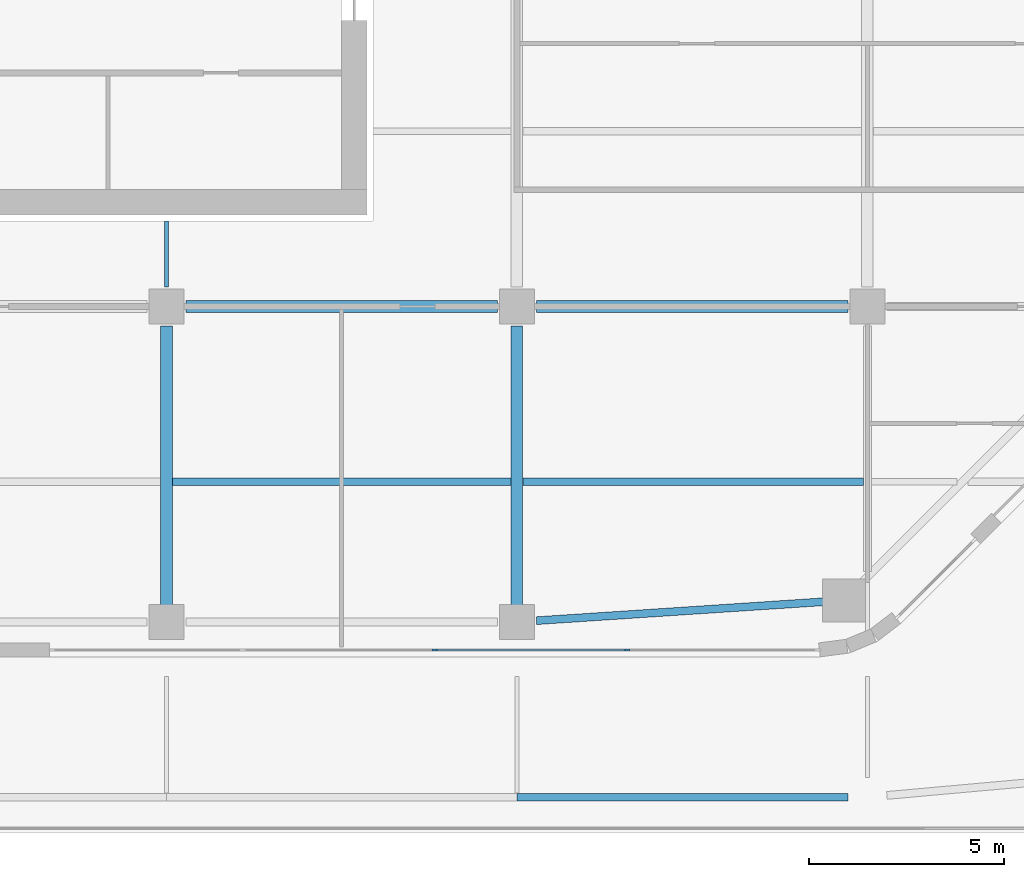
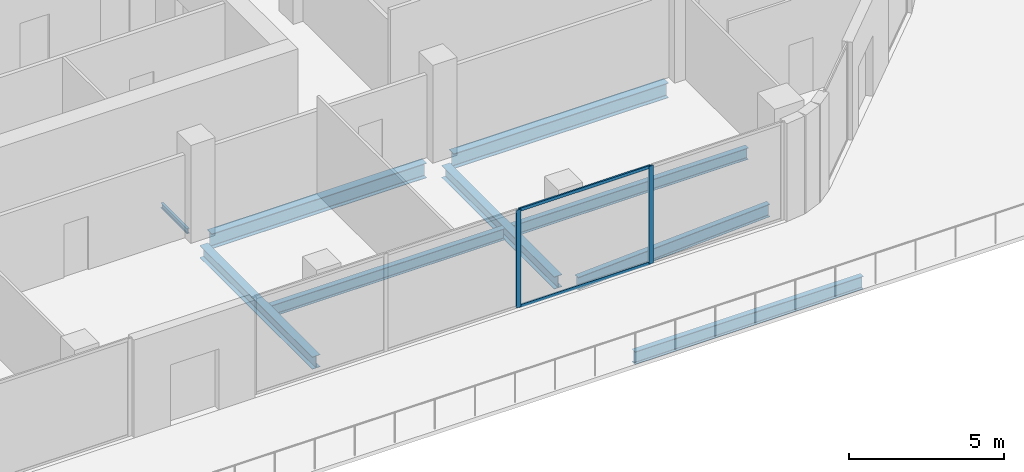
# One storey, part 3 of 29: 9 beams, 4 members, 1 element without a shape of its own.
"""IFC4 building model written with IfcOpenShell, lengths in metres."""

import ifcopenshell
import ifcopenshell.guid

model = None  # the IFC model being written
_history = None  # IfcOwnerHistory: only IFC2X3 demands one
_inside = {}  # id of a spatial element -> (the spatial element, [elements in it])
_under = {}  # id of a project, library or spatial element -> (it, [spatial elements below it])
_declared = {}  # id of a project -> (the project, [libraries it declares])
_typed = {}  # id of a type object -> (the type object, [elements of that type])
_made_of = {}  # id of a material, layer set ... -> (it, [elements and type objects made of it])


def new_model(schema):
    """Start an empty IFC model of exactly this schema.

    Asked for "IFC4X3", IfcOpenShell would pick the latest addendum, in which some entities
    have other attributes; the version numbers below select the first issue.
    IFC2X3 requires an IfcOwnerHistory on every rooted entity: one is made here for all.
    """
    global model, _history
    if schema == "IFC4X3":
        model = ifcopenshell.file(schema_version=(4, 3, 0, 0))
    else:
        model = ifcopenshell.file(schema=schema)
    _inside.clear()
    _under.clear()
    _declared.clear()
    _typed.clear()
    _made_of.clear()
    _history = None
    if model.schema == "IFC2X3":
        org = make("IfcOrganization", Name="unknown")
        user = make(
            "IfcPersonAndOrganization",
            ThePerson=make("IfcPerson", FamilyName="unknown"),
            TheOrganization=org,
        )
        app = make(
            "IfcApplication",
            ApplicationDeveloper=org,
            Version="unknown",
            ApplicationFullName="unknown",
            ApplicationIdentifier="unknown",
        )
        _history = make(
            "IfcOwnerHistory",
            OwningUser=user,
            OwningApplication=app,
            ChangeAction="ADDED",
            CreationDate=0,
        )
    return model


def make(cls, **values):
    """One entity of the class cls with the attributes given. An attribute that is None is left unset."""
    return model.create_entity(
        cls, **{name: value for name, value in values.items() if value is not None}
    )


def rooted(cls, **values):
    """An entity with a GlobalId (a new one), such as an element, a storey or a relation."""
    return make(cls, GlobalId=ifcopenshell.guid.new(), OwnerHistory=_history, **values)


def si_unit(unit_type, name, prefix=None):
    """IfcSIUnit, for example si_unit("LENGTHUNIT", "METRE", prefix="MILLI")."""
    return make("IfcSIUnit", UnitType=unit_type, Prefix=prefix, Name=name)


def assignment(units):
    """IfcUnitAssignment: the units of a project."""
    return None if units is None else make("IfcUnitAssignment", Units=units)


def point(xyz):
    """IfcCartesianPoint."""
    return None if xyz is None else make("IfcCartesianPoint", Coordinates=xyz)


def direction(xyz):
    """IfcDirection."""
    return None if xyz is None else make("IfcDirection", DirectionRatios=xyz)


def frame(location, z_axis=None, x_axis=None):
    """IfcAxis2Placement3D, a coordinate frame: its origin and axes. An axis left out is left unset."""
    return make(
        "IfcAxis2Placement3D",
        Location=point(location),
        Axis=direction(z_axis),
        RefDirection=direction(x_axis),
    )


def frame_2d(location, x_axis=None):
    """IfcAxis2Placement2D, a coordinate frame in the plane: its origin and x axis."""
    return make(
        "IfcAxis2Placement2D", Location=point(location), RefDirection=direction(x_axis)
    )


def origin():
    """The frame at (0, 0, 0) with its axes left unset."""
    return frame((0.0, 0.0, 0.0))


def origin_2d():
    """The frame at (0, 0) in the plane with its x axis left unset."""
    return frame_2d((0.0, 0.0))


def place(relative_to, where):
    """IfcLocalPlacement: puts the frame where relative to a parent placement (None: the world)."""
    return make(
        "IfcLocalPlacement", PlacementRelTo=relative_to, RelativePlacement=where
    )


def context(
    kind, dimensions, precision=None, world=None, true_north=None, identifier=None
):
    """IfcGeometricRepresentationContext, for example the 3D "Model" context."""
    return make(
        "IfcGeometricRepresentationContext",
        ContextIdentifier=identifier,
        ContextType=kind,
        CoordinateSpaceDimension=dimensions,
        Precision=precision,
        WorldCoordinateSystem=world,
        TrueNorth=true_north,
    )


def subcontext(parent, identifier, kind, view, scale=None):
    """IfcGeometricRepresentationSubContext, for example "Body" below "Model"."""
    return make(
        "IfcGeometricRepresentationSubContext",
        ContextIdentifier=identifier,
        ContextType=kind,
        ParentContext=parent,
        TargetScale=scale,
        TargetView=view,
    )


def project(units=None, contexts=None):
    """IfcProject with its units and contexts."""
    return rooted(
        "IfcProject",
        Name="project",
        RepresentationContexts=contexts,
        UnitsInContext=assignment(units),
    )


def spatial(cls, under=None, at=None, **own):
    """A site, building, storey or space (cls), placed at a placement, below another one or the project."""
    s = rooted(cls, ObjectPlacement=at, **own)
    if under is not None:
        _under.setdefault(under.id(), (under, []))[1].append(s)
    return s


def profile(cls, at=None, kind="AREA", **sizes):
    """A parametric profile (cls). Its sizes go by their IFC names, for example OverallWidth=200.0."""
    return make(cls, ProfileType=kind, Position=at, **sizes)


def rectangle(**sizes):
    """IfcRectangleProfileDef."""
    return profile("IfcRectangleProfileDef", **sizes)


def i_section(**sizes):
    """IfcIShapeProfileDef."""
    return profile("IfcIShapeProfileDef", **sizes)


def extrude(swept, where, along, depth):
    """IfcExtrudedAreaSolid: the profile swept, set in the frame where, extruded along a direction by depth."""
    return make(
        "IfcExtrudedAreaSolid",
        SweptArea=swept,
        Position=where,
        ExtrudedDirection=direction(along),
        Depth=depth,
    )


def shape(context_of_items, identifier, shape_type, items):
    """IfcShapeRepresentation: the items that make up one representation, for example the "Body"."""
    return make(
        "IfcShapeRepresentation",
        ContextOfItems=context_of_items,
        RepresentationIdentifier=identifier,
        RepresentationType=shape_type,
        Items=items,
    )


def material(Name=None, Category=None):
    """IfcMaterial."""
    return make("IfcMaterial", Name=Name, Category=Category)


def material_profile(
    of_material, cross_section, Name=None, Category=None, Priority=None
):
    """IfcMaterialProfile: a cross section and its material."""
    return make(
        "IfcMaterialProfile",
        Name=Name,
        Material=of_material,
        Profile=cross_section,
        Priority=Priority,
        Category=Category,
    )


def profile_set(profiles, Name=None, composite=None):
    """IfcMaterialProfileSet."""
    return make(
        "IfcMaterialProfileSet",
        Name=Name,
        MaterialProfiles=profiles,
        CompositeProfile=composite,
    )


def made_of(thing, what):
    """Note that an element or type object is made of a material, layer set ...; save() writes the relation."""
    if what is not None:
        _made_of.setdefault(what.id(), (what, []))[1].append(thing)
    return thing


def type_object(cls, material=None, **own):
    """A type object (cls), such as IfcWallType, which elements share."""
    return made_of(rooted(cls, **own), material)


def element(
    cls,
    number,
    at=None,
    inside=None,
    cuts=None,
    type_object=None,
    material=None,
    context=None,
    identifier="Body",
    shape_type=None,
    held_by="IfcProductDefinitionShape",
    body=None,
    shapes=None,
    **own,
):
    """One element of the class cls, such as IfcWall. Its Tag is "e" and its number.

    at: its placement. inside: the storey or other place that contains it. cuts: it is an
    opening in that element (IfcRelVoidsElement). A single representation is given by context,
    identifier, shape_type and body (its items); several are given by shapes. held_by: the class
    of the entity that holds the representations. save() writes the other relations.
    """
    e = rooted(cls, Tag="e%d" % number, ObjectPlacement=at, **own)
    if body is not None:
        shapes = [shape(context, identifier, shape_type, body)]
    if shapes is not None:
        e.Representation = make(held_by, Representations=shapes)
    if inside is not None:
        _inside.setdefault(inside.id(), (inside, []))[1].append(e)
    if cuts is not None:
        rooted(
            "IfcRelVoidsElement", RelatingBuildingElement=cuts, RelatedOpeningElement=e
        )
    if type_object is not None:
        _typed.setdefault(type_object.id(), (type_object, []))[1].append(e)
    return made_of(e, material)


def aggregate(whole, parts):
    """IfcRelAggregates: a whole, such as a stair, and the parts it consists of."""
    return rooted("IfcRelAggregates", RelatingObject=whole, RelatedObjects=parts)


def save(model, path):
    """Write the relations noted so far, then the file.

    IfcRelAggregates (storeys below a building ...), IfcRelContainedInSpatialStructure (elements
    in a storey), IfcRelDefinesByType, IfcRelAssociatesMaterial and IfcRelDeclares: one each for
    every whole, place, type object, material and project.
    """
    for whole, parts in _under.values():
        aggregate(whole, parts)
    for where, things in _inside.values():
        rooted(
            "IfcRelContainedInSpatialStructure",
            RelatedElements=things,
            RelatingStructure=where,
        )
    for kind, things in _typed.values():
        rooted("IfcRelDefinesByType", RelatedObjects=things, RelatingType=kind)
    for what, things in _made_of.values():
        rooted("IfcRelAssociatesMaterial", RelatedObjects=things, RelatingMaterial=what)
    for by, libraries in _declared.values():
        rooted("IfcRelDeclares", RelatingContext=by, RelatedDefinitions=libraries)
    model.write(path)


model = new_model("IFC4")

# Units and contexts
model_context = context("Model", 3, precision=1e-05, world=origin(), true_north=direction((0.0, 1.0)))
body_context = subcontext(model_context, "Body", "Model", "MODEL_VIEW")
ifc_project = project(units=[si_unit("LENGTHUNIT", "METRE"), si_unit("AREAUNIT", "SQUARE_METRE"), si_unit("VOLUMEUNIT", "CUBIC_METRE"), si_unit("PLANEANGLEUNIT", "RADIAN"), si_unit("MASSUNIT", "GRAM", prefix="KILO")], contexts=[model_context])

# Site, building, storey
site_placement = place(None, origin())
site = spatial("IfcSite", under=ifc_project, at=site_placement, CompositionType="ELEMENT")
building_placement = place(site_placement, origin())
building = spatial("IfcBuilding", under=site, at=building_placement, Name="Cinnabar Reach Civic Tower", CompositionType="ELEMENT")
storey_placement = place(building_placement, frame((0.0, 0.0, 149.0)))
storey = spatial("IfcBuildingStorey", under=building, at=storey_placement, Name="L35", CompositionType="ELEMENT", Elevation=149.0)

# Beams
ifc_material_1 = material(Name="Steel Q355B", Category="steel")
ifc_material_profile_1 = material_profile(ifc_material_1, i_section(OverallWidth=0.3, OverallDepth=0.488, WebThickness=0.011, FlangeThickness=0.018, FilletRadius=0.016, at=origin_2d()), Name="HM488x300x11x18")
ifc_profile_set_1 = profile_set([ifc_material_profile_1], Name="Steel Q355B")
beam_type_1 = type_object("IfcBeamType", Name="HM488x300x11x18 beam R 180", PredefinedType="BEAM", material=ifc_profile_set_1)
for number, where, z_axis, x_axis, name in (
    (1, (18.0, 10.252, -0.394), (0.0, 1.0, 0.0), (-1.0, 0.0, 0.0), "Girder T1 L35 6"),
    (2, (27.0, 10.252, -0.394), (0.0, 1.0, 0.0), (-1.0, 0.0, 0.0), "Girder T1 L35 10"),
):
    element("IfcBeam", number, at=place(storey_placement, frame(where, z_axis=z_axis, x_axis=x_axis)), inside=storey, type_object=beam_type_1, Name=name, PredefinedType="BEAM", context=body_context, shape_type="SweptSolid", body=[
        extrude(i_section(OverallWidth=0.3, OverallDepth=0.488, WebThickness=0.011, FlangeThickness=0.018, FilletRadius=0.016, at=origin_2d()), origin(), (0.0, 0.0, 1.0), 7.246),
    ])
ifc_material_profile_2 = material_profile(ifc_material_1, i_section(OverallWidth=0.3, OverallDepth=0.588, WebThickness=0.012, FlangeThickness=0.02, FilletRadius=0.016, at=origin_2d()), Name="HM588x300x12x20")
ifc_profile_set_2 = profile_set([ifc_material_profile_2], Name="Steel Q355B")
beam_type_2 = type_object("IfcBeamType", Name="HM588x300x12x20 beam R 180", PredefinedType="BEAM", material=ifc_profile_set_2)
for number, where, z_axis, x_axis, name in (
    (3, (18.502, 18.0, -0.444), (1.0, 0.0, 0.0), (0.0, 1.0, 0.0), "Girder T1 L35 3"),
    (4, (27.502, 18.0, -0.444), (1.0, 0.0, 0.0), (0.0, 1.0, 0.0), "Girder T1 L35 4"),
):
    element("IfcBeam", number, at=place(storey_placement, frame(where, z_axis=z_axis, x_axis=x_axis)), inside=storey, type_object=beam_type_2, Name=name, PredefinedType="BEAM", context=body_context, shape_type="SweptSolid", body=[
        extrude(i_section(OverallWidth=0.3, OverallDepth=0.588, WebThickness=0.012, FlangeThickness=0.02, FilletRadius=0.016, at=origin_2d()), origin(), (0.0, 0.0, 1.0), 7.996),
    ])
ifc_material_profile_3 = material_profile(ifc_material_1, i_section(OverallWidth=0.099, OverallDepth=0.198, WebThickness=0.0045, FlangeThickness=0.007, FilletRadius=0.013, at=origin_2d()), Name="HN200x100x5.5x8")
ifc_profile_set_3 = profile_set([ifc_material_profile_3], Name="Steel Q355B")
beam_type_3 = type_object("IfcBeamType", Name="HN200x100x5.5x8 beam R 180", PredefinedType="BEAM", material=ifc_profile_set_3)
beam_1_placement = place(storey_placement, frame((18.0, 18.502, -0.249), z_axis=(0.0, 1.0, 0.0), x_axis=(-1.0, 0.0, 0.0)))
element("IfcBeam", 5, at=beam_1_placement, inside=storey, type_object=beam_type_3, Name="Girder T1 L35 7", PredefinedType="BEAM", context=body_context, shape_type="SweptSolid", body=[
    extrude(i_section(OverallWidth=0.099, OverallDepth=0.198, WebThickness=0.0045, FlangeThickness=0.007, FilletRadius=0.013, at=origin_2d()), origin(), (0.0, 0.0, 1.0), 1.696),
])
ifc_material_profile_4 = material_profile(ifc_material_1, i_section(OverallWidth=0.2, OverallDepth=0.45, WebThickness=0.009, FlangeThickness=0.014, FilletRadius=0.016, at=origin_2d()), Name="HN450x200x9x14")
ifc_profile_set_4 = profile_set([ifc_material_profile_4], Name="Steel Q355B")
beam_type_4 = type_object("IfcBeamType", Name="HN450x200x9x14 beam R 180", PredefinedType="BEAM", material=ifc_profile_set_4)
beam_2_placement = place(storey_placement, frame((18.152, 13.5, -0.375), z_axis=(1.0, 0.0, 0.0), x_axis=(0.0, 1.0, 0.0)))
element("IfcBeam", 6, at=beam_2_placement, inside=storey, type_object=beam_type_4, Name="Secondary beam T1 L35 3", PredefinedType="BEAM", context=body_context, shape_type="SweptSolid", body=[
    extrude(i_section(OverallWidth=0.2, OverallDepth=0.45, WebThickness=0.009, FlangeThickness=0.014, FilletRadius=0.016, at=origin_2d()), origin(), (0.0, 0.0, 1.0), 8.696),
])
beam_3_placement = place(storey_placement, frame((27.152, 13.5, -0.375), z_axis=(1.0, 0.0, 0.0), x_axis=(0.0, 1.0, 0.0)))
element("IfcBeam", 7, at=beam_3_placement, inside=storey, type_object=beam_type_4, Name="Secondary beam T1 L35 4", PredefinedType="BEAM", context=body_context, shape_type="SweptSolid", body=[
    extrude(i_section(OverallWidth=0.2, OverallDepth=0.45, WebThickness=0.009, FlangeThickness=0.014, FilletRadius=0.016, at=origin_2d()), origin(), (0.0, 0.0, 1.0), 8.746),
])
ifc_material_profile_5 = material_profile(ifc_material_1, i_section(OverallWidth=0.2, OverallDepth=0.5, WebThickness=0.01, FlangeThickness=0.016, FilletRadius=0.016, at=origin_2d()), Name="HN500x200x10x16")
ifc_profile_set_5 = profile_set([ifc_material_profile_5], Name="Steel Q355B")
beam_type_5 = type_object("IfcBeamType", Name="HN500x200x10x16 beam R 180", PredefinedType="BEAM", material=ifc_profile_set_5)
beam_4_placement = place(storey_placement, frame((27.502, 9.9331, -0.4), z_axis=(0.997838195057, 0.065718615968, 0.0), x_axis=(-0.065718615968, 0.997838195057, 0.0)))
element("IfcBeam", 8, at=beam_4_placement, inside=storey, type_object=beam_type_5, Name="Edge beam T1 L35 4", PredefinedType="BEAM", context=body_context, shape_type="SweptSolid", body=[
    extrude(i_section(OverallWidth=0.2, OverallDepth=0.5, WebThickness=0.01, FlangeThickness=0.016, FilletRadius=0.016, at=origin_2d()), origin(), (0.0, 0.0, 1.0), 7.4302),
])
beam_5_placement = place(storey_placement, frame((27.0, 5.4, -0.4), z_axis=(1.0, 0.0, 0.0), x_axis=(0.0, 1.0, 0.0)))
element("IfcBeam", 9, at=beam_5_placement, inside=storey, type_object=beam_type_5, Name="Edge beam T1 L35 25", PredefinedType="BEAM", context=body_context, shape_type="SweptSolid", body=[
    extrude(i_section(OverallWidth=0.2, OverallDepth=0.5, WebThickness=0.01, FlangeThickness=0.016, FilletRadius=0.016, at=origin_2d()), origin(), (0.0, 0.0, 1.0), 8.498),
])

# Curtain wall, members
ifc_material_2 = material(Name="Aluminium and clear double glazing", Category="aluminium")
curtain_wall_type = type_object("IfcCurtainWallType", Name="Tower 1 sky lobby curtain wall", PredefinedType="NOTDEFINED", material=ifc_material_2)
curtain_wall_placement = place(storey_placement, origin())
curtain_wall = element("IfcCurtainWall", 10, at=curtain_wall_placement, inside=storey, type_object=curtain_wall_type, Name="Tower 1 sky lobby 2", PredefinedType="NOTDEFINED")
ifc_material_3 = material(Name="Aluminium", Category="aluminium")
ifc_material_profile_6 = material_profile(ifc_material_3, rectangle(XDim=0.06, YDim=0.16, at=origin_2d()), Name="Tower 1 sky lobby mullion")
ifc_profile_set_6 = profile_set([ifc_material_profile_6], Name="Aluminium")
member_type_1 = type_object("IfcMemberType", Name="Tower 1 sky lobby mullion", PredefinedType="MULLION", material=ifc_profile_set_6)
member_1_placement = place(storey_placement, frame((24.8937, 9.18, 0.0), z_axis=(0.0, 0.0, 1.0), x_axis=(0.0, 1.0, 0.0)))
member_1 = element("IfcMember", 11, at=member_1_placement, type_object=member_type_1, Name="CW-T1SKY-2 mullion 3", PredefinedType="MULLION", context=body_context, shape_type="SweptSolid", body=[
    extrude(rectangle(XDim=0.06, YDim=0.16, at=origin_2d()), origin(), (0.0, 0.0, 1.0), 3.85),
])
member_2_placement = place(storey_placement, frame((29.8255, 9.18, 0.0), z_axis=(0.0, 0.0, 1.0), x_axis=(0.0, 1.0, 0.0)))
member_2 = element("IfcMember", 12, at=member_2_placement, type_object=member_type_1, Name="CW-T1SKY-2 mullion 4", PredefinedType="MULLION", context=body_context, shape_type="SweptSolid", body=[
    extrude(rectangle(XDim=0.06, YDim=0.16, at=origin_2d()), origin(), (0.0, 0.0, 1.0), 3.85),
])
ifc_material_profile_7 = material_profile(ifc_material_3, rectangle(XDim=0.06, YDim=0.12, at=origin_2d()), Name="Tower 1 sky lobby transom")
ifc_profile_set_7 = profile_set([ifc_material_profile_7], Name="Aluminium")
member_type_2 = type_object("IfcMemberType", Name="Tower 1 sky lobby transom", PredefinedType="USERDEFINED", material=ifc_profile_set_7)
member_3_placement = place(storey_placement, frame((24.9237, 9.18, 0.03), z_axis=(1.0, 0.0, 0.0), x_axis=(0.0, 1.0, 0.0)))
member_3 = element("IfcMember", 13, at=member_3_placement, type_object=member_type_2, Name="CW-T1SKY-2 transom 3.1", ObjectType="TRANSOM", PredefinedType="USERDEFINED", context=body_context, shape_type="SweptSolid", body=[
    extrude(rectangle(XDim=0.06, YDim=0.12, at=origin_2d()), origin(), (0.0, 0.0, 1.0), 4.8718),
])
member_4_placement = place(storey_placement, frame((24.9237, 9.18, 3.82), z_axis=(1.0, 0.0, 0.0), x_axis=(0.0, 1.0, 0.0)))
member_4 = element("IfcMember", 14, at=member_4_placement, type_object=member_type_2, Name="CW-T1SKY-2 transom 3.2", ObjectType="TRANSOM", PredefinedType="USERDEFINED", context=body_context, shape_type="SweptSolid", body=[
    extrude(rectangle(XDim=0.06, YDim=0.12, at=origin_2d()), origin(), (0.0, 0.0, 1.0), 4.8718),
])
aggregate(curtain_wall, [member_1, member_2, member_3, member_4])

save(model, "model.ifc")
